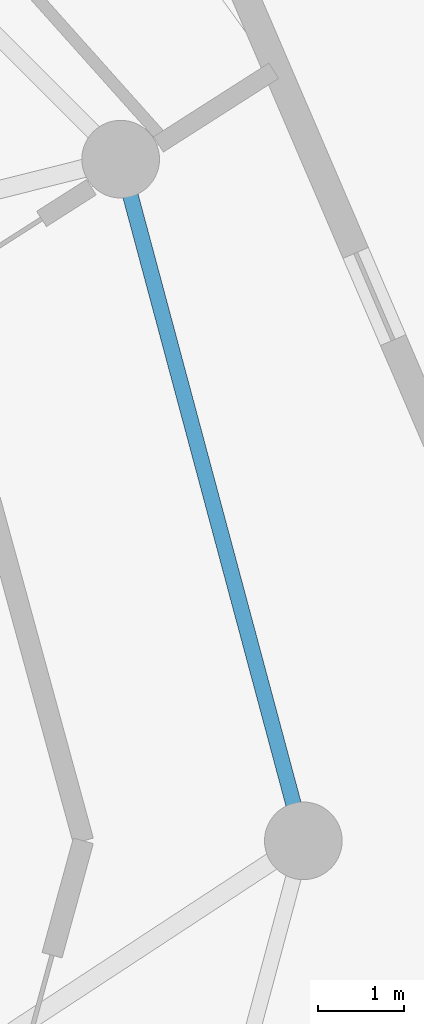
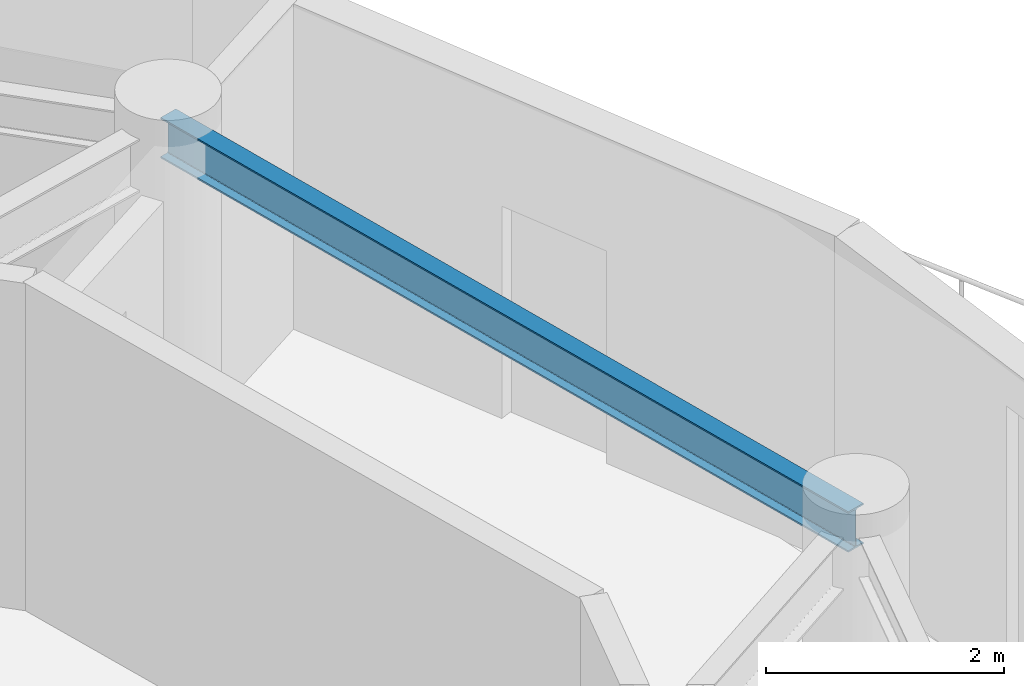
# One storey, part 8 of 18: 1 beam.
"""IFC4 building model written with IfcOpenShell, lengths in metres."""

from ifc_helpers import new_model, si_unit, direction, frame, origin, origin_2d, place, context, subcontext, project, spatial, i_section, extrude, material, material_profile, profile_set, type_object, element, save


model = new_model("IFC4")

# Units and contexts
model_context = context("Model", 3, precision=1e-05, world=origin(), true_north=direction((0.0, 1.0)))
body_context = subcontext(model_context, "Body", "Model", "MODEL_VIEW")
ifc_project = project(units=[si_unit("LENGTHUNIT", "METRE"), si_unit("AREAUNIT", "SQUARE_METRE"), si_unit("VOLUMEUNIT", "CUBIC_METRE"), si_unit("PLANEANGLEUNIT", "RADIAN"), si_unit("MASSUNIT", "GRAM", prefix="KILO")], contexts=[model_context])

# Site, building, storey
site_placement = place(None, origin())
site = spatial("IfcSite", under=ifc_project, at=site_placement, CompositionType="ELEMENT")
building_placement = place(site_placement, origin())
building = spatial("IfcBuilding", under=site, at=building_placement, Name="Solvirekh Grand Hotel", CompositionType="ELEMENT")
storey_placement = place(building_placement, frame((0.0, 0.0, 187.60009765625)))
storey = spatial("IfcBuildingStorey", under=building, at=storey_placement, Name="L48", CompositionType="ELEMENT", Elevation=187.60009765625)

# Beam
ifc_material = material(Name="Steel S355", Category="steel")
ifc_material_profile = material_profile(ifc_material, i_section(OverallWidth=0.180908203125, OverallDepth=0.4169921875, WebThickness=0.010009765625, FlangeThickness=0.01611328125, FilletRadius=0.011962890625, at=origin_2d()), Name="W410X85")
ifc_profile_set = profile_set([ifc_material_profile], Name="Steel S355")
beam_type = type_object("IfcBeamType", Name="Spandrel_Ring_W410", PredefinedType="SPANDREL", material=ifc_profile_set)
beam_placement = place(storey_placement, frame((15.800048828125, 0.0, 3.15185546875), z_axis=(-0.258838541915, 0.965920601923, 0.0), x_axis=(-0.965920601923, -0.258838541915, 0.0)))
element("IfcBeam", 1, at=beam_placement, inside=storey, type_object=beam_type, Name="L48 perimeter spandrel beam 1", PredefinedType="SPANDREL", context=body_context, shape_type="SweptSolid", body=[
    extrude(i_section(OverallWidth=0.180908203125, OverallDepth=0.4169921875, WebThickness=0.010009765625, FlangeThickness=0.01611328125, FilletRadius=0.011962890625, at=origin_2d()), origin(), (0.0, 0.0, 1.0), 8.1787109375),
])

save(model, "model.ifc")
